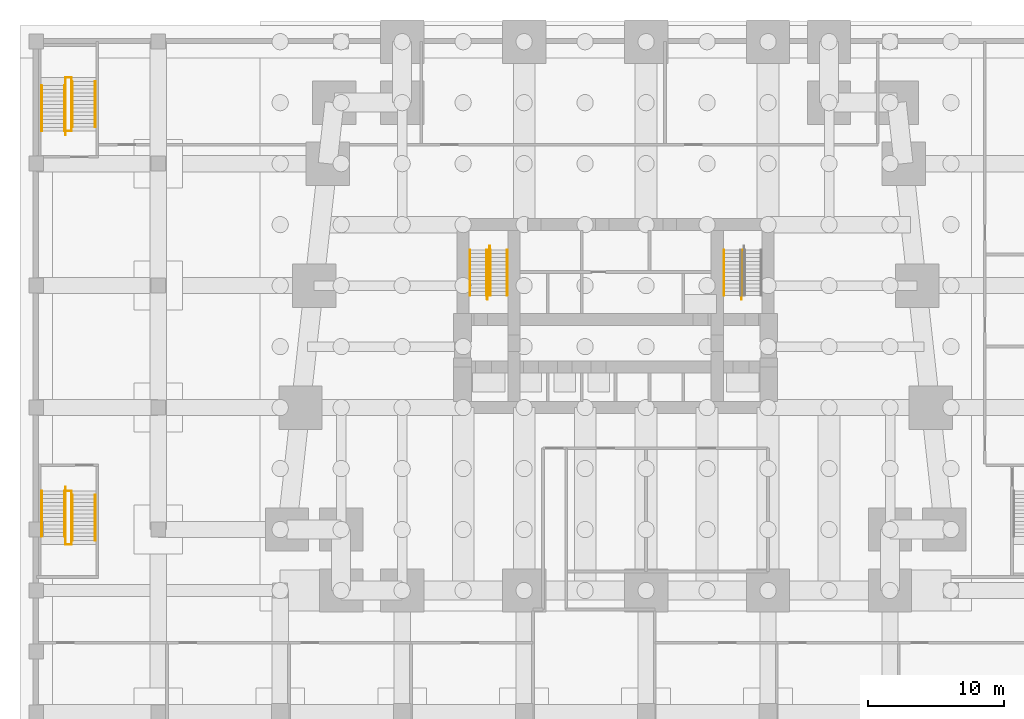
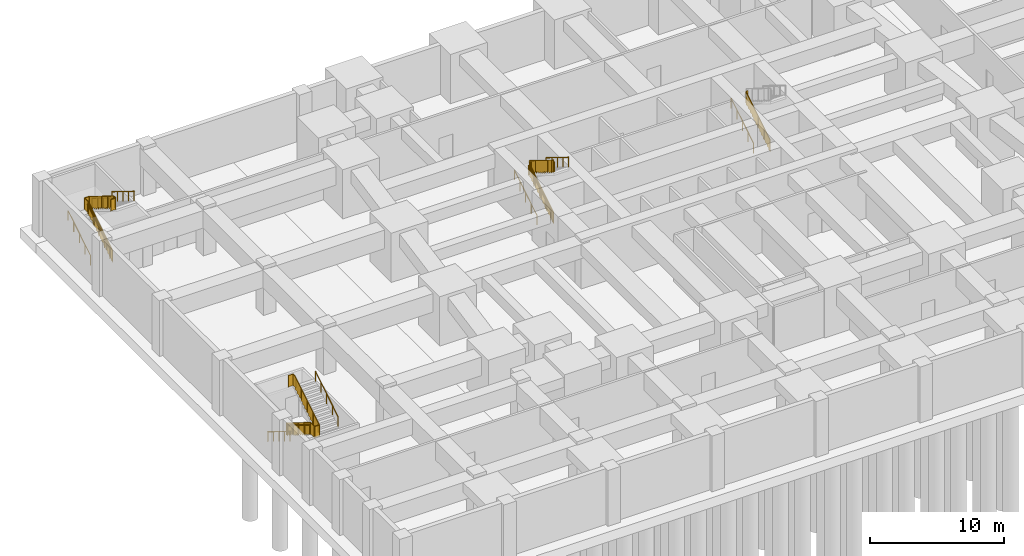
# One storey, part 7 of 9: 20 railings.
"""IFC4 building model written with IfcOpenShell, lengths in metres."""

from ifc_helpers import new_model, si_unit, direction, frame, origin, origin_2d, place, context, subcontext, project, spatial, polyline, circle, outline, extrude, material, type_object, element, save


model = new_model("IFC4")

# Units and contexts
model_context = context("Model", 3, precision=1e-05, world=origin(), true_north=direction((0.0, 1.0)))
body_context = subcontext(model_context, "Body", "Model", "MODEL_VIEW")
ifc_project = project(units=[si_unit("LENGTHUNIT", "METRE"), si_unit("AREAUNIT", "SQUARE_METRE"), si_unit("VOLUMEUNIT", "CUBIC_METRE"), si_unit("PLANEANGLEUNIT", "RADIAN"), si_unit("MASSUNIT", "GRAM", prefix="KILO")], contexts=[model_context])

# Site, building, storey
site_placement = place(None, origin())
site = spatial("IfcSite", under=ifc_project, at=site_placement, CompositionType="ELEMENT")
building_placement = place(site_placement, origin())
building = spatial("IfcBuilding", under=site, at=building_placement, Name="Kilele Tower Hotel", CompositionType="ELEMENT")
storey_placement = place(building_placement, frame((0.0, 0.0, -9.0)))
storey = spatial("IfcBuildingStorey", under=building, at=storey_placement, Name="B2", CompositionType="ELEMENT", Elevation=-9.0)

# Railings
ifc_material_1 = material(Name="Steel handrail", Category="steel")
railing_type_1 = type_object("IfcRailingType", Name="Handrail 900", PredefinedType="HANDRAIL", material=ifc_material_1)
for number, where, name in (
    (1, (14.0, 21.77490234375, 0.173095703125), "Handrail ST1 flight 1"),
    (2, (15.22509765625, 21.77490234375, 0.173095703125), "Handrail ST1 flight 1"),
):
    element("IfcRailing", number, at=place(storey_placement, frame(where)), inside=storey, type_object=railing_type_1, Name=name, PredefinedType="HANDRAIL", context=body_context, shape_type="SweptSolid", body=[
        extrude(circle(Radius=0.02490234375, at=origin_2d()), frame((0.0, 0.0, 0.875), z_axis=(0.0, 0.850623216509, 0.525775754039), x_axis=(-1.0, 0.0, 0.0)), (0.0, 0.0, 1.0), 3.9501953125),
        extrude(circle(Radius=0.02001953125, at=origin_2d()), origin(), (0.0, 0.0, 1.0), 0.849853515625),
        extrude(circle(Radius=0.02001953125, at=origin_2d()), frame((0.0, 0.840087890625, 0.519287109375)), (0.0, 0.0, 1.0), 0.849853515625),
        extrude(circle(Radius=0.02001953125, at=origin_2d()), frame((0.0, 1.68017578125, 1.03857421875)), (0.0, 0.0, 1.0), 0.849853515625),
        extrude(circle(Radius=0.02001953125, at=origin_2d()), frame((0.0, 2.52001953125, 1.5576171875)), (0.0, 0.0, 1.0), 0.849853515625),
        extrude(circle(Radius=0.02001953125, at=origin_2d()), frame((0.0, 3.360107421875, 2.076904296875)), (0.0, 0.0, 1.0), 0.849853515625),
    ])
for number, where, name in (
    (3, (15.52490234375, 25.135009765625, 2.423095703125), "Handrail ST1 flight 2"),
    (4, (16.75, 25.135009765625, 2.423095703125), "Handrail ST1 flight 2"),
):
    element("IfcRailing", number, at=place(storey_placement, frame(where)), inside=storey, type_object=railing_type_1, Name=name, PredefinedType="HANDRAIL", context=body_context, shape_type="SweptSolid", body=[
        extrude(circle(Radius=0.02490234375, at=origin_2d()), frame((0.0, 0.0, 0.875), z_axis=(0.0, -0.850623216509, 0.525775754039), x_axis=(1.0, 0.0, 0.0)), (0.0, 0.0, 1.0), 3.9501953125),
        extrude(circle(Radius=0.02001953125, at=origin_2d()), origin(), (0.0, 0.0, 1.0), 0.849853515625),
        extrude(circle(Radius=0.02001953125, at=origin_2d()), frame((0.0, -0.840087890625, 0.519287109375)), (0.0, 0.0, 1.0), 0.849853515625),
        extrude(circle(Radius=0.02001953125, at=origin_2d()), frame((0.0, -1.68017578125, 1.03857421875)), (0.0, 0.0, 1.0), 0.849853515625),
        extrude(circle(Radius=0.02001953125, at=origin_2d()), frame((0.0, -2.52001953125, 1.5576171875)), (0.0, 0.0, 1.0), 0.849853515625),
        extrude(circle(Radius=0.02001953125, at=origin_2d()), frame((0.0, -3.360107421875, 2.076904296875)), (0.0, 0.0, 1.0), 0.849853515625),
    ])
for number, where, name in (
    (5, (32.75, 21.77490234375, 0.173095703125), "Handrail ST2 flight 1"),
    (6, (-17.60009765625, 33.89990234375, 0.173095703125), "Handrail ST3 flight 1"),
    (7, (-15.89990234375, 33.89990234375, 0.173095703125), "Handrail ST3 flight 1"),
):
    element("IfcRailing", number, at=place(storey_placement, frame(where)), inside=storey, type_object=railing_type_1, Name=name, PredefinedType="HANDRAIL", context=body_context, shape_type="SweptSolid", body=[
        extrude(circle(Radius=0.02490234375, at=origin_2d()), frame((0.0, 0.0, 0.875), z_axis=(0.0, 0.850623216509, 0.525775754039), x_axis=(-1.0, 0.0, 0.0)), (0.0, 0.0, 1.0), 3.9501953125),
        extrude(circle(Radius=0.02001953125, at=origin_2d()), origin(), (0.0, 0.0, 1.0), 0.849853515625),
        extrude(circle(Radius=0.02001953125, at=origin_2d()), frame((0.0, 0.840087890625, 0.519287109375)), (0.0, 0.0, 1.0), 0.849853515625),
        extrude(circle(Radius=0.02001953125, at=origin_2d()), frame((0.0, 1.68017578125, 1.03857421875)), (0.0, 0.0, 1.0), 0.849853515625),
        extrude(circle(Radius=0.02001953125, at=origin_2d()), frame((0.0, 2.52001953125, 1.5576171875)), (0.0, 0.0, 1.0), 0.849853515625),
        extrude(circle(Radius=0.02001953125, at=origin_2d()), frame((0.0, 3.360107421875, 2.076904296875)), (0.0, 0.0, 1.0), 0.849853515625),
    ])
for number, where, name in (
    (8, (-15.35009765625, 37.56005859375, 2.423095703125), "Handrail ST3 flight 2"),
    (9, (-13.64990234375, 37.56005859375, 2.423095703125), "Handrail ST3 flight 2"),
    (10, (-17.60009765625, 7.35009765625, 0.173095703125), "Handrail ST4 flight 1"),
    (11, (-15.89990234375, 7.35009765625, 0.173095703125), "Handrail ST4 flight 1"),
):
    element("IfcRailing", number, at=place(storey_placement, frame(where)), inside=storey, type_object=railing_type_1, Name=name, PredefinedType="HANDRAIL", context=body_context, shape_type="SweptSolid", body=[
        extrude(circle(Radius=0.02490234375, at=origin_2d()), frame((0.0, 0.0, 0.875), z_axis=(0.0, -0.850623216509, 0.525775754039), x_axis=(1.0, 0.0, 0.0)), (0.0, 0.0, 1.0), 3.9501953125),
        extrude(circle(Radius=0.02001953125, at=origin_2d()), origin(), (0.0, 0.0, 1.0), 0.849853515625),
        extrude(circle(Radius=0.02001953125, at=origin_2d()), frame((0.0, -0.840087890625, 0.519287109375)), (0.0, 0.0, 1.0), 0.849853515625),
        extrude(circle(Radius=0.02001953125, at=origin_2d()), frame((0.0, -1.68017578125, 1.03857421875)), (0.0, 0.0, 1.0), 0.849853515625),
        extrude(circle(Radius=0.02001953125, at=origin_2d()), frame((0.0, -2.52001953125, 1.5576171875)), (0.0, 0.0, 1.0), 0.849853515625),
        extrude(circle(Radius=0.02001953125, at=origin_2d()), frame((0.0, -3.360107421875, 2.076904296875)), (0.0, 0.0, 1.0), 0.849853515625),
    ])
for number, where, name in (
    (12, (-15.35009765625, 3.68994140625, 2.423095703125), "Handrail ST4 flight 2"),
    (13, (-13.64990234375, 3.68994140625, 2.423095703125), "Handrail ST4 flight 2"),
):
    element("IfcRailing", number, at=place(storey_placement, frame(where)), inside=storey, type_object=railing_type_1, Name=name, PredefinedType="HANDRAIL", context=body_context, shape_type="SweptSolid", body=[
        extrude(circle(Radius=0.02490234375, at=origin_2d()), frame((0.0, 0.0, 0.875), z_axis=(0.0, 0.850623216509, 0.525775754039), x_axis=(-1.0, 0.0, 0.0)), (0.0, 0.0, 1.0), 3.9501953125),
        extrude(circle(Radius=0.02001953125, at=origin_2d()), origin(), (0.0, 0.0, 1.0), 0.849853515625),
        extrude(circle(Radius=0.02001953125, at=origin_2d()), frame((0.0, 0.840087890625, 0.519287109375)), (0.0, 0.0, 1.0), 0.849853515625),
        extrude(circle(Radius=0.02001953125, at=origin_2d()), frame((0.0, 1.68017578125, 1.03857421875)), (0.0, 0.0, 1.0), 0.849853515625),
        extrude(circle(Radius=0.02001953125, at=origin_2d()), frame((0.0, 2.52001953125, 1.5576171875)), (0.0, 0.0, 1.0), 0.849853515625),
        extrude(circle(Radius=0.02001953125, at=origin_2d()), frame((0.0, 3.360107421875, 2.076904296875)), (0.0, 0.0, 1.0), 0.849853515625),
    ])
ifc_material_2 = material(Name="Steel guard", Category="steel")
railing_type_2 = type_object("IfcRailingType", Name="Stair guard 1100", PredefinedType="GUARDRAIL", material=ifc_material_2)
railing_1_placement = place(storey_placement, frame((15.284912109375, 21.4951171875, 0.0)))
element("IfcRailing", 14, at=railing_1_placement, inside=storey, type_object=railing_type_2, Name="Stair well guard ST1 flight 1", PredefinedType="GUARDRAIL", context=body_context, shape_type="SweptSolid", body=[
    extrude(circle(Radius=0.02490234375, at=origin_2d()), frame((0.0, 0.0, 1.0751953125), z_axis=(0.0, 0.850606632239, 0.525802583857), x_axis=(-1.0, 0.0, 0.0)), (0.0, 0.0, 1.0), 4.279052734375),
    extrude(circle(Radius=0.02490234375, at=origin_2d()), frame((0.0, 3.639892578125, 3.3251953125), z_axis=(1.0, 0.0, 0.0), x_axis=(0.0, 1.0, 0.0)), (0.0, 0.0, 1.0), 0.18017578125),
    extrude(circle(Radius=0.02490234375, at=origin_2d()), origin(), (0.0, 0.0, 1.0), 1.050048828125),
    extrude(circle(Radius=0.02490234375, at=origin_2d()), frame((0.0, 0.909912109375, 0.5625)), (0.0, 0.0, 1.0), 1.050048828125),
    extrude(circle(Radius=0.02490234375, at=origin_2d()), frame((0.0, 1.81982421875, 1.125)), (0.0, 0.0, 1.0), 1.050048828125),
    extrude(circle(Radius=0.02490234375, at=origin_2d()), frame((0.0, 2.72998046875, 1.6875)), (0.0, 0.0, 1.0), 1.050048828125),
    extrude(circle(Radius=0.02490234375, at=origin_2d()), frame((0.0, 3.639892578125, 2.25)), (0.0, 0.0, 1.0), 1.050048828125),
    extrude(circle(Radius=0.02490234375, at=origin_2d()), frame((0.18017578125, 3.639892578125, 2.25)), (0.0, 0.0, 1.0), 1.050048828125),
    extrude(outline(polyline([(0.012451171875, 0.030029296875), (0.25, 0.030029296875), (0.25, 0.203125), (0.530029296875, 0.203125), (0.530029296875, 0.376220703125), (0.81005859375, 0.376220703125), (0.81005859375, 0.54931640625), (1.08984375, 0.54931640625), (1.08984375, 0.722412109375), (1.369873046875, 0.722412109375), (1.369873046875, 0.8955078125), (1.64990234375, 0.8955078125), (1.64990234375, 1.068603515625), (1.929931640625, 1.068603515625), (1.929931640625, 1.241455078125), (2.2099609375, 1.241455078125), (2.2099609375, 1.41455078125), (2.489990234375, 1.41455078125), (2.489990234375, 1.587646484375), (2.769775390625, 1.587646484375), (2.769775390625, 1.7607421875), (3.0498046875, 1.7607421875), (3.0498046875, 1.933837890625), (3.329833984375, 1.933837890625), (3.329833984375, 2.10693359375), (3.60986328125, 2.10693359375), (3.60986328125, 2.280029296875), (3.62744140625, 2.280029296875), (3.62744140625, 3.287841796875), (0.012451171875, 1.053466796875), (0.012451171875, 0.030029296875)])), frame((-0.005859375, 0.0, 0.0), z_axis=(1.0, 0.0, 0.0), x_axis=(0.0, 1.0, 0.0)), (0.0, 0.0, 1.0), 0.011962890625),
    extrude(outline(polyline([(0.012451171875, 0.030029296875), (0.18017578125, 0.030029296875), (0.18017578125, 1.050048828125), (0.012451171875, 1.050048828125), (0.012451171875, 0.030029296875)])), frame((0.0, 3.64599609375, 2.25), z_axis=(0.0, -1.0, 0.0), x_axis=(1.0, 0.0, 0.0)), (0.0, 0.0, 1.0), 0.011962890625),
])
railing_2_placement = place(storey_placement, frame((15.465087890625, 25.4150390625, 2.25)))
element("IfcRailing", 15, at=railing_2_placement, inside=storey, type_object=railing_type_2, Name="Stair well guard ST1 flight 2", PredefinedType="GUARDRAIL", context=body_context, shape_type="SweptSolid", body=[
    extrude(circle(Radius=0.02490234375, at=origin_2d()), frame((0.0, 0.0, 1.0751953125), z_axis=(0.0, -0.850622404505, 0.525777067734), x_axis=(1.0, 0.0, 0.0)), (0.0, 0.0, 1.0), 4.279296875),
    extrude(circle(Radius=0.02490234375, at=origin_2d()), frame((0.0, -3.64013671875, 3.3251953125), z_axis=(-1.0, 0.0, 0.0), x_axis=(0.0, -1.0, 0.0)), (0.0, 0.0, 1.0), 0.18017578125),
    extrude(circle(Radius=0.02490234375, at=origin_2d()), origin(), (0.0, 0.0, 1.0), 1.050048828125),
    extrude(circle(Radius=0.02490234375, at=origin_2d()), frame((0.0, -0.91015625, 0.5625)), (0.0, 0.0, 1.0), 1.050048828125),
    extrude(circle(Radius=0.02490234375, at=origin_2d()), frame((0.0, -1.820068359375, 1.125)), (0.0, 0.0, 1.0), 1.050048828125),
    extrude(circle(Radius=0.02490234375, at=origin_2d()), frame((0.0, -2.72998046875, 1.6875)), (0.0, 0.0, 1.0), 1.050048828125),
    extrude(circle(Radius=0.02490234375, at=origin_2d()), frame((0.0, -3.64013671875, 2.25)), (0.0, 0.0, 1.0), 1.050048828125),
    extrude(circle(Radius=0.02490234375, at=origin_2d()), frame((-0.18017578125, -3.64013671875, 2.25)), (0.0, 0.0, 1.0), 1.050048828125),
    extrude(outline(polyline([(0.0, 0.030029296875), (0.25, 0.030029296875), (0.25, 0.203125), (0.530029296875, 0.203125), (0.530029296875, 0.376220703125), (0.81005859375, 0.376220703125), (0.81005859375, 0.54931640625), (1.090087890625, 0.54931640625), (1.090087890625, 0.722412109375), (1.3701171875, 0.722412109375), (1.3701171875, 0.8955078125), (1.650146484375, 0.8955078125), (1.650146484375, 1.068603515625), (1.929931640625, 1.068603515625), (1.929931640625, 1.241455078125), (2.2099609375, 1.241455078125), (2.2099609375, 1.41455078125), (2.489990234375, 1.41455078125), (2.489990234375, 1.587646484375), (2.77001953125, 1.587646484375), (2.77001953125, 1.7607421875), (3.050048828125, 1.7607421875), (3.050048828125, 1.933837890625), (3.330078125, 1.933837890625), (3.330078125, 2.10693359375), (3.610107421875, 2.10693359375), (3.610107421875, 2.280029296875), (3.627685546875, 2.280029296875), (3.627685546875, 3.287841796875), (0.0, 1.045654296875), (0.0, 0.030029296875)])), frame((0.005859375, 0.0, 0.0), z_axis=(-1.0, 0.0, 0.0), x_axis=(0.0, -1.0, 0.0)), (0.0, 0.0, 1.0), 0.011962890625),
    extrude(outline(polyline([(0.012451171875, 0.030029296875), (0.18017578125, 0.030029296875), (0.18017578125, 1.050048828125), (0.012451171875, 1.050048828125), (0.012451171875, 0.030029296875)])), frame((0.0, -3.64599609375, 2.25), z_axis=(0.0, 1.0, 0.0), x_axis=(-1.0, 0.0, 0.0)), (0.0, 0.0, 1.0), 0.011962890625),
])
railing_3_placement = place(storey_placement, frame((34.034912109375, 21.4951171875, 0.0)))
element("IfcRailing", 16, at=railing_3_placement, inside=storey, type_object=railing_type_2, Name="Stair well guard ST2 flight 1", PredefinedType="GUARDRAIL", context=body_context, shape_type="SweptSolid", body=[
    extrude(circle(Radius=0.02490234375, at=origin_2d()), frame((0.0, 0.0, 1.0751953125), z_axis=(0.0, 0.850606632239, 0.525802583857), x_axis=(-1.0, 0.0, 0.0)), (0.0, 0.0, 1.0), 4.279052734375),
    extrude(circle(Radius=0.02490234375, at=origin_2d()), frame((0.0, 3.639892578125, 3.3251953125), z_axis=(1.0, 0.0, 0.0), x_axis=(0.0, 1.0, 0.0)), (0.0, 0.0, 1.0), 0.18017578125),
    extrude(circle(Radius=0.02490234375, at=origin_2d()), origin(), (0.0, 0.0, 1.0), 1.050048828125),
    extrude(circle(Radius=0.02490234375, at=origin_2d()), frame((0.0, 0.909912109375, 0.5625)), (0.0, 0.0, 1.0), 1.050048828125),
    extrude(circle(Radius=0.02490234375, at=origin_2d()), frame((0.0, 1.81982421875, 1.125)), (0.0, 0.0, 1.0), 1.050048828125),
    extrude(circle(Radius=0.02490234375, at=origin_2d()), frame((0.0, 2.72998046875, 1.6875)), (0.0, 0.0, 1.0), 1.050048828125),
    extrude(circle(Radius=0.02490234375, at=origin_2d()), frame((0.0, 3.639892578125, 2.25)), (0.0, 0.0, 1.0), 1.050048828125),
    extrude(circle(Radius=0.02490234375, at=origin_2d()), frame((0.18017578125, 3.639892578125, 2.25)), (0.0, 0.0, 1.0), 1.050048828125),
    extrude(outline(polyline([(0.012451171875, 0.030029296875), (0.25, 0.030029296875), (0.25, 0.203125), (0.530029296875, 0.203125), (0.530029296875, 0.376220703125), (0.81005859375, 0.376220703125), (0.81005859375, 0.54931640625), (1.08984375, 0.54931640625), (1.08984375, 0.722412109375), (1.369873046875, 0.722412109375), (1.369873046875, 0.8955078125), (1.64990234375, 0.8955078125), (1.64990234375, 1.068603515625), (1.929931640625, 1.068603515625), (1.929931640625, 1.241455078125), (2.2099609375, 1.241455078125), (2.2099609375, 1.41455078125), (2.489990234375, 1.41455078125), (2.489990234375, 1.587646484375), (2.769775390625, 1.587646484375), (2.769775390625, 1.7607421875), (3.0498046875, 1.7607421875), (3.0498046875, 1.933837890625), (3.329833984375, 1.933837890625), (3.329833984375, 2.10693359375), (3.60986328125, 2.10693359375), (3.60986328125, 2.280029296875), (3.62744140625, 2.280029296875), (3.62744140625, 3.287841796875), (0.012451171875, 1.053466796875), (0.012451171875, 0.030029296875)])), frame((-0.005859375, 0.0, 0.0), z_axis=(1.0, 0.0, 0.0), x_axis=(0.0, 1.0, 0.0)), (0.0, 0.0, 1.0), 0.011962890625),
    extrude(outline(polyline([(0.012451171875, 0.030029296875), (0.18017578125, 0.030029296875), (0.18017578125, 1.050048828125), (0.012451171875, 1.050048828125), (0.012451171875, 0.030029296875)])), frame((0.0, 3.64599609375, 2.25), z_axis=(0.0, -1.0, 0.0), x_axis=(1.0, 0.0, 0.0)), (0.0, 0.0, 1.0), 0.011962890625),
])
railing_4_placement = place(storey_placement, frame((-15.840087890625, 33.6201171875, 0.0)))
element("IfcRailing", 17, at=railing_4_placement, inside=storey, type_object=railing_type_2, Name="Stair well guard ST3 flight 1", PredefinedType="GUARDRAIL", context=body_context, shape_type="SweptSolid", body=[
    extrude(circle(Radius=0.02490234375, at=origin_2d()), frame((0.0, 0.0, 1.0751953125), z_axis=(0.0, 0.850606632239, 0.525802583857), x_axis=(-1.0, 0.0, 0.0)), (0.0, 0.0, 1.0), 4.279052734375),
    extrude(circle(Radius=0.02490234375, at=origin_2d()), frame((0.0, 3.639892578125, 3.3251953125), z_axis=(0.0, 1.0, 0.0), x_axis=(-1.0, 0.0, 0.0)), (0.0, 0.0, 1.0), 0.60009765625),
    extrude(circle(Radius=0.02490234375, at=origin_2d()), frame((0.0, 4.239990234375, 3.3251953125), z_axis=(1.0, 0.0, 0.0), x_axis=(0.0, 1.0, 0.0)), (0.0, 0.0, 1.0), 0.43017578125),
    extrude(circle(Radius=0.02490234375, at=origin_2d()), origin(), (0.0, 0.0, 1.0), 1.050048828125),
    extrude(circle(Radius=0.02490234375, at=origin_2d()), frame((0.0, 0.909912109375, 0.5625)), (0.0, 0.0, 1.0), 1.050048828125),
    extrude(circle(Radius=0.02490234375, at=origin_2d()), frame((0.0, 1.81982421875, 1.125)), (0.0, 0.0, 1.0), 1.050048828125),
    extrude(circle(Radius=0.02490234375, at=origin_2d()), frame((0.0, 2.72998046875, 1.6875)), (0.0, 0.0, 1.0), 1.050048828125),
    extrude(circle(Radius=0.02490234375, at=origin_2d()), frame((0.0, 3.639892578125, 2.25)), (0.0, 0.0, 1.0), 1.050048828125),
    extrude(circle(Radius=0.02490234375, at=origin_2d()), frame((0.0, 4.239990234375, 2.25)), (0.0, 0.0, 1.0), 1.050048828125),
    extrude(circle(Radius=0.02490234375, at=origin_2d()), frame((0.43017578125, 4.239990234375, 2.25)), (0.0, 0.0, 1.0), 1.050048828125),
    extrude(outline(polyline([(0.012451171875, 0.030029296875), (0.25, 0.030029296875), (0.25, 0.203125), (0.530029296875, 0.203125), (0.530029296875, 0.376220703125), (0.81005859375, 0.376220703125), (0.81005859375, 0.54931640625), (1.08984375, 0.54931640625), (1.08984375, 0.722412109375), (1.369873046875, 0.722412109375), (1.369873046875, 0.8955078125), (1.64990234375, 0.8955078125), (1.64990234375, 1.068603515625), (1.929931640625, 1.068603515625), (1.929931640625, 1.241455078125), (2.2099609375, 1.241455078125), (2.2099609375, 1.41455078125), (2.489990234375, 1.41455078125), (2.489990234375, 1.587646484375), (2.769775390625, 1.587646484375), (2.769775390625, 1.7607421875), (3.0498046875, 1.7607421875), (3.0498046875, 1.933837890625), (3.329833984375, 1.933837890625), (3.329833984375, 2.10693359375), (3.60986328125, 2.10693359375), (3.60986328125, 2.280029296875), (3.62744140625, 2.280029296875), (3.62744140625, 3.287841796875), (0.012451171875, 1.053466796875), (0.012451171875, 0.030029296875)])), frame((-0.005859375, 0.0, 0.0), z_axis=(1.0, 0.0, 0.0), x_axis=(0.0, 1.0, 0.0)), (0.0, 0.0, 1.0), 0.011962890625),
    extrude(outline(polyline([(0.012451171875, 0.030029296875), (0.587646484375, 0.030029296875), (0.587646484375, 1.050048828125), (0.012451171875, 1.050048828125), (0.012451171875, 0.030029296875)])), frame((-0.005859375, 3.639892578125, 2.25), z_axis=(1.0, 0.0, 0.0), x_axis=(0.0, 1.0, 0.0)), (0.0, 0.0, 1.0), 0.011962890625),
    extrude(outline(polyline([(0.012451171875, 0.030029296875), (0.43017578125, 0.030029296875), (0.43017578125, 1.050048828125), (0.012451171875, 1.050048828125), (0.012451171875, 0.030029296875)])), frame((0.0, 4.24609375, 2.25), z_axis=(0.0, -1.0, 0.0), x_axis=(1.0, 0.0, 0.0)), (0.0, 0.0, 1.0), 0.011962890625),
])
railing_5_placement = place(storey_placement, frame((-15.409912109375, 37.860107421875, 2.25)))
element("IfcRailing", 18, at=railing_5_placement, inside=storey, type_object=railing_type_2, Name="Stair well guard ST3 flight 2", PredefinedType="GUARDRAIL", context=body_context, shape_type="SweptSolid", body=[
    extrude(circle(Radius=0.02490234375, at=origin_2d()), frame((0.0, 0.0, 1.0751953125), z_axis=(0.0, -1.0, 0.0), x_axis=(1.0, 0.0, 0.0)), (0.0, 0.0, 1.0), 0.02001953125),
    extrude(circle(Radius=0.02490234375, at=origin_2d()), frame((0.0, -0.02001953125, 1.0751953125), z_axis=(0.0, -0.850622404505, 0.525777067734), x_axis=(1.0, 0.0, 0.0)), (0.0, 0.0, 1.0), 4.279296875),
    extrude(circle(Radius=0.02490234375, at=origin_2d()), frame((0.0, -3.66015625, 3.3251953125), z_axis=(0.0, -1.0, 0.0), x_axis=(1.0, 0.0, 0.0)), (0.0, 0.0, 1.0), 0.300048828125),
    extrude(circle(Radius=0.02490234375, at=origin_2d()), frame((0.0, -3.960205078125, 3.3251953125), z_axis=(-1.0, 0.0, 0.0), x_axis=(0.0, -1.0, 0.0)), (0.0, 0.0, 1.0), 0.43017578125),
    extrude(circle(Radius=0.02490234375, at=origin_2d()), origin(), (0.0, 0.0, 1.0), 1.050048828125),
    extrude(circle(Radius=0.02490234375, at=origin_2d()), frame((0.0, -0.02001953125, 0.0)), (0.0, 0.0, 1.0), 1.050048828125),
    extrude(circle(Radius=0.02490234375, at=origin_2d()), frame((0.0, -0.93017578125, 0.5625)), (0.0, 0.0, 1.0), 1.050048828125),
    extrude(circle(Radius=0.02490234375, at=origin_2d()), frame((0.0, -1.840087890625, 1.125)), (0.0, 0.0, 1.0), 1.050048828125),
    extrude(circle(Radius=0.02490234375, at=origin_2d()), frame((0.0, -2.75, 1.6875)), (0.0, 0.0, 1.0), 1.050048828125),
    extrude(circle(Radius=0.02490234375, at=origin_2d()), frame((0.0, -3.66015625, 2.25)), (0.0, 0.0, 1.0), 1.050048828125),
    extrude(circle(Radius=0.02490234375, at=origin_2d()), frame((0.0, -3.960205078125, 2.25)), (0.0, 0.0, 1.0), 1.050048828125),
    extrude(circle(Radius=0.02490234375, at=origin_2d()), frame((-0.43017578125, -3.960205078125, 2.25)), (0.0, 0.0, 1.0), 1.050048828125),
    extrude(outline(polyline([(0.012451171875, 0.030029296875), (0.25, 0.030029296875), (0.25, 0.203125), (0.530029296875, 0.203125), (0.530029296875, 0.376220703125), (0.81005859375, 0.376220703125), (0.81005859375, 0.54931640625), (1.090087890625, 0.54931640625), (1.090087890625, 0.722412109375), (1.3701171875, 0.722412109375), (1.3701171875, 0.8955078125), (1.650146484375, 0.8955078125), (1.650146484375, 1.068603515625), (1.929931640625, 1.068603515625), (1.929931640625, 1.241455078125), (2.2099609375, 1.241455078125), (2.2099609375, 1.41455078125), (2.489990234375, 1.41455078125), (2.489990234375, 1.587646484375), (2.77001953125, 1.587646484375), (2.77001953125, 1.7607421875), (3.050048828125, 1.7607421875), (3.050048828125, 1.933837890625), (3.330078125, 1.933837890625), (3.330078125, 2.10693359375), (3.610107421875, 2.10693359375), (3.610107421875, 2.280029296875), (3.627685546875, 2.280029296875), (3.627685546875, 3.287841796875), (0.012451171875, 1.053466796875), (0.012451171875, 0.030029296875)])), frame((0.005859375, -0.02001953125, 0.0), z_axis=(-1.0, 0.0, 0.0), x_axis=(0.0, -1.0, 0.0)), (0.0, 0.0, 1.0), 0.011962890625),
    extrude(outline(polyline([(0.012451171875, 0.030029296875), (0.28759765625, 0.030029296875), (0.28759765625, 1.050048828125), (0.012451171875, 1.050048828125), (0.012451171875, 0.030029296875)])), frame((0.005859375, -3.66015625, 2.25), z_axis=(-1.0, 0.0, 0.0), x_axis=(0.0, -1.0, 0.0)), (0.0, 0.0, 1.0), 0.011962890625),
    extrude(outline(polyline([(0.012451171875, 0.030029296875), (0.43017578125, 0.030029296875), (0.43017578125, 1.050048828125), (0.012451171875, 1.050048828125), (0.012451171875, 0.030029296875)])), frame((0.0, -3.96630859375, 2.25), z_axis=(0.0, 1.0, 0.0), x_axis=(-1.0, 0.0, 0.0)), (0.0, 0.0, 1.0), 0.011962890625),
])
railing_6_placement = place(storey_placement, frame((-15.840087890625, 7.6298828125, 0.0)))
element("IfcRailing", 19, at=railing_6_placement, inside=storey, type_object=railing_type_2, Name="Stair well guard ST4 flight 1", PredefinedType="GUARDRAIL", context=body_context, shape_type="SweptSolid", body=[
    extrude(circle(Radius=0.02490234375, at=origin_2d()), frame((0.0, 0.0, 1.0751953125), z_axis=(0.0, -0.850606632239, 0.525802583857), x_axis=(1.0, 0.0, 0.0)), (0.0, 0.0, 1.0), 4.279052734375),
    extrude(circle(Radius=0.02490234375, at=origin_2d()), frame((0.0, -3.639892578125, 3.3251953125), z_axis=(0.0, -1.0, 0.0), x_axis=(1.0, 0.0, 0.0)), (0.0, 0.0, 1.0), 0.60009765625),
    extrude(circle(Radius=0.02490234375, at=origin_2d()), frame((0.0, -4.239990234375, 3.3251953125), z_axis=(1.0, 0.0, 0.0), x_axis=(0.0, 1.0, 0.0)), (0.0, 0.0, 1.0), 0.43017578125),
    extrude(circle(Radius=0.02490234375, at=origin_2d()), origin(), (0.0, 0.0, 1.0), 1.050048828125),
    extrude(circle(Radius=0.02490234375, at=origin_2d()), frame((0.0, -0.909912109375, 0.5625)), (0.0, 0.0, 1.0), 1.050048828125),
    extrude(circle(Radius=0.02490234375, at=origin_2d()), frame((0.0, -1.81982421875, 1.125)), (0.0, 0.0, 1.0), 1.050048828125),
    extrude(circle(Radius=0.02490234375, at=origin_2d()), frame((0.0, -2.72998046875, 1.6875)), (0.0, 0.0, 1.0), 1.050048828125),
    extrude(circle(Radius=0.02490234375, at=origin_2d()), frame((0.0, -3.639892578125, 2.25)), (0.0, 0.0, 1.0), 1.050048828125),
    extrude(circle(Radius=0.02490234375, at=origin_2d()), frame((0.0, -4.239990234375, 2.25)), (0.0, 0.0, 1.0), 1.050048828125),
    extrude(circle(Radius=0.02490234375, at=origin_2d()), frame((0.43017578125, -4.239990234375, 2.25)), (0.0, 0.0, 1.0), 1.050048828125),
    extrude(outline(polyline([(0.012451171875, 0.030029296875), (0.25, 0.030029296875), (0.25, 0.203125), (0.530029296875, 0.203125), (0.530029296875, 0.376220703125), (0.81005859375, 0.376220703125), (0.81005859375, 0.54931640625), (1.08984375, 0.54931640625), (1.08984375, 0.722412109375), (1.369873046875, 0.722412109375), (1.369873046875, 0.8955078125), (1.64990234375, 0.8955078125), (1.64990234375, 1.068603515625), (1.929931640625, 1.068603515625), (1.929931640625, 1.241455078125), (2.2099609375, 1.241455078125), (2.2099609375, 1.41455078125), (2.489990234375, 1.41455078125), (2.489990234375, 1.587646484375), (2.769775390625, 1.587646484375), (2.769775390625, 1.7607421875), (3.0498046875, 1.7607421875), (3.0498046875, 1.933837890625), (3.329833984375, 1.933837890625), (3.329833984375, 2.10693359375), (3.60986328125, 2.10693359375), (3.60986328125, 2.280029296875), (3.62744140625, 2.280029296875), (3.62744140625, 3.287841796875), (0.012451171875, 1.053466796875), (0.012451171875, 0.030029296875)])), frame((0.005859375, 0.0, 0.0), z_axis=(-1.0, 0.0, 0.0), x_axis=(0.0, -1.0, 0.0)), (0.0, 0.0, 1.0), 0.011962890625),
    extrude(outline(polyline([(0.012451171875, 0.030029296875), (0.587646484375, 0.030029296875), (0.587646484375, 1.050048828125), (0.012451171875, 1.050048828125), (0.012451171875, 0.030029296875)])), frame((0.005859375, -3.639892578125, 2.25), z_axis=(-1.0, 0.0, 0.0), x_axis=(0.0, -1.0, 0.0)), (0.0, 0.0, 1.0), 0.011962890625),
    extrude(outline(polyline([(0.012451171875, 0.030029296875), (0.43017578125, 0.030029296875), (0.43017578125, 1.050048828125), (0.012451171875, 1.050048828125), (0.012451171875, 0.030029296875)])), frame((0.0, -4.23388671875, 2.25), z_axis=(0.0, -1.0, 0.0), x_axis=(1.0, 0.0, 0.0)), (0.0, 0.0, 1.0), 0.011962890625),
])
railing_7_placement = place(storey_placement, frame((-15.409912109375, 3.389892578125, 2.25)))
element("IfcRailing", 20, at=railing_7_placement, inside=storey, type_object=railing_type_2, Name="Stair well guard ST4 flight 2", PredefinedType="GUARDRAIL", context=body_context, shape_type="SweptSolid", body=[
    extrude(circle(Radius=0.02490234375, at=origin_2d()), frame((0.0, 0.0, 1.0751953125), z_axis=(0.0, 1.0, 0.0), x_axis=(-1.0, 0.0, 0.0)), (0.0, 0.0, 1.0), 0.02001953125),
    extrude(circle(Radius=0.02490234375, at=origin_2d()), frame((0.0, 0.02001953125, 1.0751953125), z_axis=(0.0, 0.850622404505, 0.525777067734), x_axis=(-1.0, 0.0, 0.0)), (0.0, 0.0, 1.0), 4.279296875),
    extrude(circle(Radius=0.02490234375, at=origin_2d()), frame((0.0, 3.66015625, 3.3251953125), z_axis=(0.0, 1.0, 0.0), x_axis=(-1.0, 0.0, 0.0)), (0.0, 0.0, 1.0), 0.300048828125),
    extrude(circle(Radius=0.02490234375, at=origin_2d()), frame((0.0, 3.960205078125, 3.3251953125), z_axis=(-1.0, 0.0, 0.0), x_axis=(0.0, -1.0, 0.0)), (0.0, 0.0, 1.0), 0.43017578125),
    extrude(circle(Radius=0.02490234375, at=origin_2d()), origin(), (0.0, 0.0, 1.0), 1.050048828125),
    extrude(circle(Radius=0.02490234375, at=origin_2d()), frame((0.0, 0.02001953125, 0.0)), (0.0, 0.0, 1.0), 1.050048828125),
    extrude(circle(Radius=0.02490234375, at=origin_2d()), frame((0.0, 0.93017578125, 0.5625)), (0.0, 0.0, 1.0), 1.050048828125),
    extrude(circle(Radius=0.02490234375, at=origin_2d()), frame((0.0, 1.840087890625, 1.125)), (0.0, 0.0, 1.0), 1.050048828125),
    extrude(circle(Radius=0.02490234375, at=origin_2d()), frame((0.0, 2.75, 1.6875)), (0.0, 0.0, 1.0), 1.050048828125),
    extrude(circle(Radius=0.02490234375, at=origin_2d()), frame((0.0, 3.66015625, 2.25)), (0.0, 0.0, 1.0), 1.050048828125),
    extrude(circle(Radius=0.02490234375, at=origin_2d()), frame((0.0, 3.960205078125, 2.25)), (0.0, 0.0, 1.0), 1.050048828125),
    extrude(circle(Radius=0.02490234375, at=origin_2d()), frame((-0.43017578125, 3.960205078125, 2.25)), (0.0, 0.0, 1.0), 1.050048828125),
    extrude(outline(polyline([(0.012451171875, 0.030029296875), (0.25, 0.030029296875), (0.25, 0.203125), (0.530029296875, 0.203125), (0.530029296875, 0.376220703125), (0.81005859375, 0.376220703125), (0.81005859375, 0.54931640625), (1.090087890625, 0.54931640625), (1.090087890625, 0.722412109375), (1.3701171875, 0.722412109375), (1.3701171875, 0.8955078125), (1.650146484375, 0.8955078125), (1.650146484375, 1.068603515625), (1.929931640625, 1.068603515625), (1.929931640625, 1.241455078125), (2.2099609375, 1.241455078125), (2.2099609375, 1.41455078125), (2.489990234375, 1.41455078125), (2.489990234375, 1.587646484375), (2.77001953125, 1.587646484375), (2.77001953125, 1.7607421875), (3.050048828125, 1.7607421875), (3.050048828125, 1.933837890625), (3.330078125, 1.933837890625), (3.330078125, 2.10693359375), (3.610107421875, 2.10693359375), (3.610107421875, 2.280029296875), (3.627685546875, 2.280029296875), (3.627685546875, 3.287841796875), (0.012451171875, 1.053466796875), (0.012451171875, 0.030029296875)])), frame((-0.005859375, 0.02001953125, 0.0), z_axis=(1.0, 0.0, 0.0), x_axis=(0.0, 1.0, 0.0)), (0.0, 0.0, 1.0), 0.011962890625),
    extrude(outline(polyline([(0.012451171875, 0.030029296875), (0.28759765625, 0.030029296875), (0.28759765625, 1.050048828125), (0.012451171875, 1.050048828125), (0.012451171875, 0.030029296875)])), frame((-0.005859375, 3.66015625, 2.25), z_axis=(1.0, 0.0, 0.0), x_axis=(0.0, 1.0, 0.0)), (0.0, 0.0, 1.0), 0.011962890625),
    extrude(outline(polyline([(0.012451171875, 0.030029296875), (0.43017578125, 0.030029296875), (0.43017578125, 1.050048828125), (0.012451171875, 1.050048828125), (0.012451171875, 0.030029296875)])), frame((0.0, 3.9541015625, 2.25), z_axis=(0.0, 1.0, 0.0), x_axis=(-1.0, 0.0, 0.0)), (0.0, 0.0, 1.0), 0.011962890625),
])

save(model, "model.ifc")
